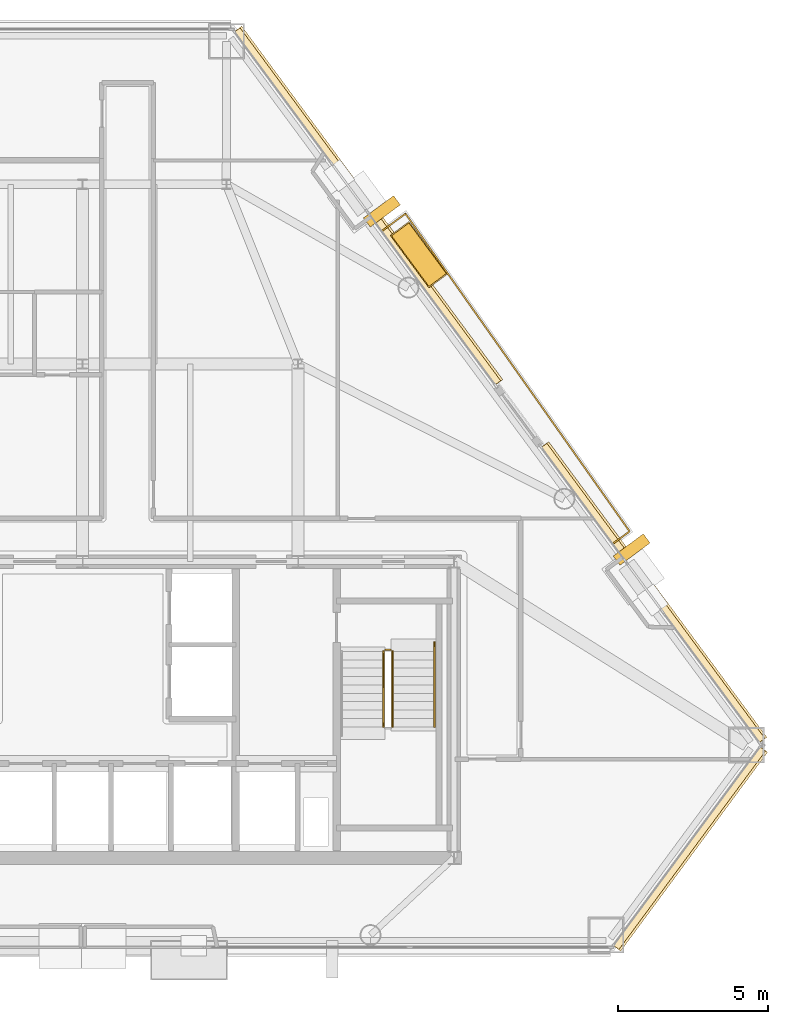
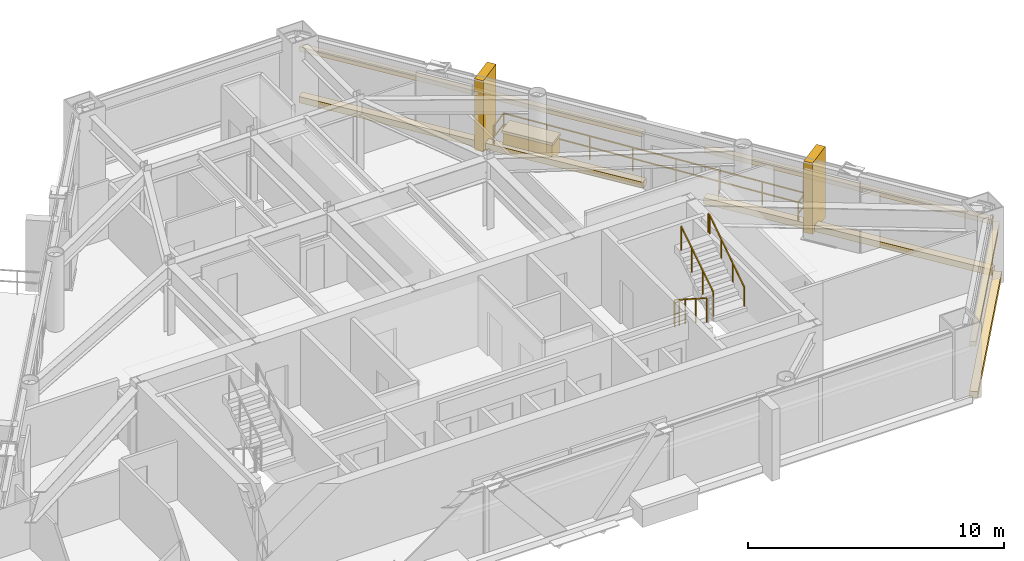
# One storey, part 11 of 11: 10 coverings, 5 railings.
"""IFC4 building model written with IfcOpenShell, lengths in metres."""

from ifc_helpers import new_model, si_unit, direction, frame, origin, origin_2d, place, context, subcontext, project, spatial, rectangle, extrude, material, layer, layer_set, type_object, element, save


model = new_model("IFC4")

# Units and contexts
model_context = context("Model", 3, precision=1e-05, world=origin(), true_north=direction((0.0, 1.0)))
body_context = subcontext(model_context, "Body", "Model", "MODEL_VIEW")
ifc_project = project(units=[si_unit("LENGTHUNIT", "METRE"), si_unit("AREAUNIT", "SQUARE_METRE"), si_unit("VOLUMEUNIT", "CUBIC_METRE"), si_unit("PLANEANGLEUNIT", "RADIAN"), si_unit("MASSUNIT", "GRAM", prefix="KILO")], contexts=[model_context])

# Site, building, storey
site_placement = place(None, origin())
site = spatial("IfcSite", under=ifc_project, at=site_placement, CompositionType="ELEMENT")
building_placement = place(site_placement, origin())
building = spatial("IfcBuilding", under=site, at=building_placement, Name="Talgorran Terracotta Tower", CompositionType="ELEMENT")
storey_placement = place(building_placement, frame((0.0, 0.0, 150.89990234375)))
storey = spatial("IfcBuildingStorey", under=building, at=storey_placement, Name="L39", CompositionType="ELEMENT", Elevation=150.89990234375)

# Coverings
ifc_material_1 = material(Name="Kiln-Fired Terracotta Ochre Ceramic", Category="masonry")
ifc_layer_1 = layer(ifc_material_1, 0.179931640625, Name="COV_BAGUETTE_TERRACOTTA_SCREEN")
ifc_layer_set_1 = layer_set([ifc_layer_1], Name="Kiln-Fired Terracotta Ochre Ceramic")
covering_type_1 = type_object("IfcCoveringType", Name="COV_BAGUETTE_TERRACOTTA_SCREEN", PredefinedType="CLADDING", material=ifc_layer_set_1)
covering_1_placement = place(storey_placement, frame((20.255859375, -13.76220703125, 2.41015625), z_axis=(0.0, 0.0, 1.0), x_axis=(0.594078945078, 0.804406742274, 0.0)))
element("IfcCovering", 1, at=covering_1_placement, inside=storey, type_object=covering_type_1, Name="L39 Terracotta Baguette Solar Screen Assembly F2", PredefinedType="CLADDING", context=body_context, shape_type="SweptSolid", body=[
    extrude(rectangle(XDim=8.242919921875, YDim=0.260009765625, at=origin_2d()), origin(), (0.0, 0.0, 1.0), 0.219970703125),
])
covering_2_placement = place(storey_placement, frame((19.041748046875, -5.256103515625, 2.41015625), z_axis=(0.0, 0.0, 1.0), x_axis=(-0.594078945078, 0.804406742274, 0.0)))
element("IfcCovering", 2, at=covering_2_placement, inside=storey, type_object=covering_type_1, Name="L39 Terracotta Baguette Solar Screen Assembly F40", PredefinedType="CLADDING", context=body_context, shape_type="SweptSolid", body=[
    extrude(rectangle(XDim=12.25048828125, YDim=0.260009765625, at=origin_2d()), origin(), (0.0, 0.0, 1.0), 0.219970703125),
])
covering_3_placement = place(storey_placement, frame((9.506103515625, 7.65576171875, 2.41015625), z_axis=(0.0, 0.0, 1.0), x_axis=(-0.594078945078, 0.804406742274, 0.0)))
element("IfcCovering", 3, at=covering_3_placement, inside=storey, type_object=covering_type_1, Name="L39 Terracotta Baguette Solar Screen Assembly F41", PredefinedType="CLADDING", context=body_context, shape_type="SweptSolid", body=[
    extrude(rectangle(XDim=14.652099609375, YDim=0.260009765625, at=origin_2d()), origin(), (0.0, 0.0, 1.0), 0.219970703125),
])
ifc_material_2 = material(Name="Honed Limestone and Terracotta Planter", Category="masonry")
ifc_layer_2 = layer(ifc_material_2, 0.1201171875, Name="COV_PLANTER_BOX")
ifc_layer_set_2 = layer_set([ifc_layer_2], Name="Honed Limestone and Terracotta Planter")
covering_type_2 = type_object("IfcCoveringType", Name="COV_PLANTER_BOX", PredefinedType="CLADDING", material=ifc_layer_set_2)
covering_4_placement = place(storey_placement, frame((11.232666015625, 6.0498046875, -0.02001953125), z_axis=(0.0, 0.0, 1.0), x_axis=(-0.594078945078, 0.804406742274, 0.0)))
element("IfcCovering", 4, at=covering_4_placement, inside=storey, type_object=covering_type_2, Name="L39 Staggered Balcony Planter Box BAL-NE", PredefinedType="CLADDING", context=body_context, shape_type="SweptSolid", body=[
    extrude(rectangle(XDim=2.10009765625, YDim=0.719970703125, at=origin_2d()), origin(), (0.0, 0.0, 1.0), 0.860107421875),
])
ifc_material_3 = material(Name="Kiln-Fired Terracotta Planter Rim", Category="masonry")
ifc_layer_3 = layer(ifc_material_3, 0.10009765625, Name="COV_PLANTER_RIM")
ifc_layer_set_3 = layer_set([ifc_layer_3], Name="Kiln-Fired Terracotta Planter Rim")
covering_type_3 = type_object("IfcCoveringType", Name="COV_PLANTER_RIM", PredefinedType="CLADDING", material=ifc_layer_set_3)
covering_5_placement = place(storey_placement, frame((11.232666015625, 6.0498046875, 0.800048828125), z_axis=(0.0, 0.0, 1.0), x_axis=(-0.594078945078, 0.804406742274, 0.0)))
element("IfcCovering", 5, at=covering_5_placement, inside=storey, type_object=covering_type_3, Name="L39 Balcony Planter Terracotta Rim BAL-NE", PredefinedType="CLADDING", context=body_context, shape_type="SweptSolid", body=[
    extrude(rectangle(XDim=2.179931640625, YDim=0.780029296875, at=origin_2d()), origin(), (0.0, 0.0, 1.0), 0.1201171875),
])
ifc_material_4 = material(Name="Honed Limestone Cladding", Category="masonry")
ifc_layer_4 = layer(ifc_material_4, 0.094970703125, Name="COV_PORTAL_LIME")
ifc_layer_set_4 = layer_set([ifc_layer_4], Name="Honed Limestone Cladding")
covering_type_4 = type_object("IfcCoveringType", Name="COV_PORTAL_LIME", PredefinedType="CLADDING", material=ifc_layer_set_4)
covering_6_placement = place(storey_placement, frame((18.337158203125, -3.797119140625, -0.0498046875), z_axis=(0.0, 0.0, 1.0), x_axis=(-0.594078945078, 0.804406742274, 0.0)))
element("IfcCovering", 6, at=covering_6_placement, inside=storey, type_object=covering_type_4, Name="L39 White Striped Portal Fin F3-1", PredefinedType="CLADDING", context=body_context, shape_type="SweptSolid", body=[
    extrude(rectangle(XDim=0.3798828125, YDim=1.25, at=origin_2d()), origin(), (0.0, 0.0, 1.0), 3.39990234375),
])
ifc_material_5 = material(Name="Kiln-Fired Terracotta Cladding", Category="masonry")
ifc_layer_5 = layer(ifc_material_5, 0.090087890625, Name="COV_PORTAL_TERRA")
ifc_layer_set_5 = layer_set([ifc_layer_5], Name="Kiln-Fired Terracotta Cladding")
covering_type_5 = type_object("IfcCoveringType", Name="COV_PORTAL_TERRA", PredefinedType="CLADDING", material=ifc_layer_set_5)
covering_7_placement = place(storey_placement, frame((20.2880859375, -13.785888671875, -0.0400390625), z_axis=(0.0, 0.0, 1.0), x_axis=(0.594078945078, 0.804406742274, 0.0)))
element("IfcCovering", 7, at=covering_7_placement, inside=storey, type_object=covering_type_5, Name="L39 Striped Postmodern Portal Cladding Band F2", PredefinedType="CLADDING", context=body_context, shape_type="SweptSolid", body=[
    extrude(rectangle(XDim=8.2626953125, YDim=0.340087890625, at=origin_2d()), origin(), (0.0, 0.0, 1.0), 0.300048828125),
])
covering_8_placement = place(storey_placement, frame((19.073974609375, -5.232421875, -0.0400390625), z_axis=(0.0, 0.0, 1.0), x_axis=(-0.594078945078, 0.804406742274, 0.0)))
element("IfcCovering", 8, at=covering_8_placement, inside=storey, type_object=covering_type_5, Name="L39 Striped Postmodern Portal Cladding Band F40", PredefinedType="CLADDING", context=body_context, shape_type="SweptSolid", body=[
    extrude(rectangle(XDim=12.2705078125, YDim=0.340087890625, at=origin_2d()), origin(), (0.0, 0.0, 1.0), 0.300048828125),
])
covering_9_placement = place(storey_placement, frame((9.5380859375, 7.679443359375, -0.0400390625), z_axis=(0.0, 0.0, 1.0), x_axis=(-0.594078945078, 0.804406742274, 0.0)))
element("IfcCovering", 9, at=covering_9_placement, inside=storey, type_object=covering_type_5, Name="L39 Striped Postmodern Portal Cladding Band F41", PredefinedType="CLADDING", context=body_context, shape_type="SweptSolid", body=[
    extrude(rectangle(XDim=14.672119140625, YDim=0.340087890625, at=origin_2d()), origin(), (0.0, 0.0, 1.0), 0.300048828125),
])
covering_10_placement = place(storey_placement, frame((9.99658203125, 7.49658203125, -0.0498046875), z_axis=(0.0, 0.0, 1.0), x_axis=(-0.594078945078, 0.804406742274, 0.0)))
element("IfcCovering", 10, at=covering_10_placement, inside=storey, type_object=covering_type_5, Name="L39 Terracotta Striped Portal Fin F3-2", PredefinedType="CLADDING", context=body_context, shape_type="SweptSolid", body=[
    extrude(rectangle(XDim=0.3798828125, YDim=1.25, at=origin_2d()), origin(), (0.0, 0.0, 1.0), 3.39990234375),
])

# Railings
ifc_material_6 = material(Name="Laminated Glass and Stainless Steel 316", Category="steel")
railing_type_1 = type_object("IfcRailingType", Name="RL_BALCONY_1150", PredefinedType="BALUSTRADE", material=ifc_material_6)
railing_1_placement = place(storey_placement, frame((17.7177734375, -3.59814453125, 0.0)))
element("IfcRailing", 11, at=railing_1_placement, inside=storey, type_object=railing_type_1, Name="RL-L39-BAL-BAL-NE", PredefinedType="BALUSTRADE", context=body_context, shape_type="SweptSolid", body=[
    extrude(rectangle(XDim=0.048095703125, YDim=0.048095703125, at=origin_2d()), frame((0.0, 0.0, 1.1259765625), z_axis=(0.804553802816, 0.593879767608, 0.0), x_axis=(-0.593879767608, 0.804553802816, 0.0)), (0.0, 0.0, 1.0), 0.684814453125),
    extrude(rectangle(XDim=0.048095703125, YDim=0.048095703125, at=origin_2d()), frame((0.0, 0.0, 0.597900390625), z_axis=(0.804553802816, 0.593879767608, 0.0), x_axis=(-0.593879767608, 0.804553802816, 0.0)), (0.0, 0.0, 1.0), 0.684814453125),
    extrude(rectangle(XDim=0.048095703125, YDim=0.048095703125, at=origin_2d()), frame((0.551025390625, 0.40673828125, 1.1259765625), z_axis=(-0.576415986029, 0.817156417738, 0.0), x_axis=(-0.817156417738, -0.576415986029, 0.0)), (0.0, 0.0, 1.0), 12.98681640625),
    extrude(rectangle(XDim=0.048095703125, YDim=0.048095703125, at=origin_2d()), frame((0.551025390625, 0.40673828125, 0.597900390625), z_axis=(-0.576415986029, 0.817156417738, 0.0), x_axis=(-0.817156417738, -0.576415986029, 0.0)), (0.0, 0.0, 1.0), 12.98681640625),
    extrude(rectangle(XDim=0.048095703125, YDim=0.048095703125, at=origin_2d()), frame((-6.934814453125, 11.01904296875, 1.1259765625), z_axis=(-0.804338658016, -0.594171122844, 0.0), x_axis=(0.594171122844, -0.804338658016, 0.0)), (0.0, 0.0, 1.0), 0.9677734375),
    extrude(rectangle(XDim=0.048095703125, YDim=0.048095703125, at=origin_2d()), frame((-6.934814453125, 11.01904296875, 0.597900390625), z_axis=(-0.804338658016, -0.594171122844, 0.0), x_axis=(0.594171122844, -0.804338658016, 0.0)), (0.0, 0.0, 1.0), 0.9677734375),
    extrude(rectangle(XDim=0.0419921875, YDim=0.0419921875, at=origin_2d()), origin(), (0.0, 0.0, 1.0), 1.101806640625),
    extrude(rectangle(XDim=0.0419921875, YDim=0.0419921875, at=origin_2d()), frame((0.551025390625, 0.40673828125, 0.0)), (0.0, 0.0, 1.0), 1.101806640625),
    extrude(rectangle(XDim=0.0419921875, YDim=0.0419921875, at=origin_2d()), frame((-0.518310546875, 1.9228515625, 0.0)), (0.0, 0.0, 1.0), 1.101806640625),
    extrude(rectangle(XDim=0.0419921875, YDim=0.0419921875, at=origin_2d()), frame((-1.587890625, 3.438720703125, 0.0)), (0.0, 0.0, 1.0), 1.101806640625),
    extrude(rectangle(XDim=0.0419921875, YDim=0.0419921875, at=origin_2d()), frame((-2.6572265625, 4.954833984375, 0.0)), (0.0, 0.0, 1.0), 1.101806640625),
    extrude(rectangle(XDim=0.0419921875, YDim=0.0419921875, at=origin_2d()), frame((-3.7265625, 6.470947265625, 0.0)), (0.0, 0.0, 1.0), 1.101806640625),
    extrude(rectangle(XDim=0.0419921875, YDim=0.0419921875, at=origin_2d()), frame((-4.7958984375, 7.987060546875, 0.0)), (0.0, 0.0, 1.0), 1.101806640625),
    extrude(rectangle(XDim=0.0419921875, YDim=0.0419921875, at=origin_2d()), frame((-5.865478515625, 9.5029296875, 0.0)), (0.0, 0.0, 1.0), 1.101806640625),
    extrude(rectangle(XDim=0.0419921875, YDim=0.0419921875, at=origin_2d()), frame((-6.934814453125, 11.01904296875, 0.0)), (0.0, 0.0, 1.0), 1.101806640625),
    extrude(rectangle(XDim=0.0419921875, YDim=0.0419921875, at=origin_2d()), frame((-7.713134765625, 10.444091796875, 0.0)), (0.0, 0.0, 1.0), 1.101806640625),
])
ifc_material_7 = material(Name="Steel S355 (300PLUS)", Category="steel")
railing_type_2 = type_object("IfcRailingType", Name="RL_HANDRAIL_920", PredefinedType="HANDRAIL", material=ifc_material_7)
railing_2_placement = place(storey_placement, frame((11.75, -9.719970703125, 1.97998046875)))
element("IfcRailing", 12, at=railing_2_placement, inside=storey, type_object=railing_type_2, Name="L39 ST-02 stair handrail 2", PredefinedType="HANDRAIL", context=body_context, shape_type="SweptSolid", body=[
    extrude(rectangle(XDim=0.048095703125, YDim=0.048095703125, at=origin_2d()), frame((0.0, 0.0, 0.89599609375), z_axis=(0.0, 0.832038719335, 0.554717558338), x_axis=(-1.0, 0.0, 0.0)), (0.0, 0.0, 1.0), 3.244873046875),
    extrude(rectangle(XDim=0.048095703125, YDim=0.048095703125, at=origin_2d()), frame((0.0, 2.699951171875, 2.69580078125), z_axis=(0.0, 1.0, 0.0), x_axis=(-1.0, 0.0, 0.0)), (0.0, 0.0, 1.0), 0.1201171875),
    extrude(rectangle(XDim=0.0419921875, YDim=0.0419921875, at=origin_2d()), origin(), (0.0, 0.0, 1.0), 0.871826171875),
    extrude(rectangle(XDim=0.0419921875, YDim=0.0419921875, at=origin_2d()), frame((0.0, 0.89990234375, 0.60009765625)), (0.0, 0.0, 1.0), 0.871826171875),
    extrude(rectangle(XDim=0.0419921875, YDim=0.0419921875, at=origin_2d()), frame((0.0, 1.800048828125, 1.199951171875)), (0.0, 0.0, 1.0), 0.871826171875),
    extrude(rectangle(XDim=0.0419921875, YDim=0.0419921875, at=origin_2d()), frame((0.0, 2.699951171875, 1.800048828125)), (0.0, 0.0, 1.0), 0.871826171875),
    extrude(rectangle(XDim=0.0419921875, YDim=0.0419921875, at=origin_2d()), frame((0.0, 2.820068359375, 1.800048828125)), (0.0, 0.0, 1.0), 0.871826171875),
])
railing_type_3 = type_object("IfcRailingType", Name="RL_STAIR_GUARD", PredefinedType="GUARDRAIL", material=ifc_material_7)
railing_3_placement = place(storey_placement, frame((10.050048828125, -7.199951171875, 0.18017578125)))
element("IfcRailing", 13, at=railing_3_placement, inside=storey, type_object=railing_type_3, Name="L39 ST-02 stair guard 1", PredefinedType="GUARDRAIL", context=body_context, shape_type="SweptSolid", body=[
    extrude(rectangle(XDim=0.048095703125, YDim=0.048095703125, at=origin_2d()), frame((0.0, 0.0, 1.15576171875), z_axis=(0.0, -0.841199657755, 0.540724639528), x_axis=(1.0, 0.0, 0.0)), (0.0, 0.0, 1.0), 2.995849609375),
    extrude(rectangle(XDim=0.0419921875, YDim=0.0419921875, at=origin_2d()), origin(), (0.0, 0.0, 1.0), 1.1318359375),
    extrude(rectangle(XDim=0.0419921875, YDim=0.0419921875, at=origin_2d()), frame((0.0, -0.840087890625, 0.5400390625)), (0.0, 0.0, 1.0), 1.1318359375),
    extrude(rectangle(XDim=0.0419921875, YDim=0.0419921875, at=origin_2d()), frame((0.0, -1.679931640625, 1.079833984375)), (0.0, 0.0, 1.0), 1.1318359375),
    extrude(rectangle(XDim=0.0419921875, YDim=0.0419921875, at=origin_2d()), frame((0.0, -2.52001953125, 1.619873046875)), (0.0, 0.0, 1.0), 1.1318359375),
])
railing_4_placement = place(storey_placement, frame((10.35009765625, -9.719970703125, 1.97998046875)))
element("IfcRailing", 14, at=railing_4_placement, inside=storey, type_object=railing_type_3, Name="L39 ST-02 stair guard 3", PredefinedType="GUARDRAIL", context=body_context, shape_type="SweptSolid", body=[
    extrude(rectangle(XDim=0.048095703125, YDim=0.048095703125, at=origin_2d()), frame((0.0, 0.0, 1.15576171875), z_axis=(0.0, 0.841162588446, 0.540782303519), x_axis=(-1.0, 0.0, 0.0)), (0.0, 0.0, 1.0), 2.995849609375),
    extrude(rectangle(XDim=0.0419921875, YDim=0.0419921875, at=origin_2d()), origin(), (0.0, 0.0, 1.0), 1.1318359375),
    extrude(rectangle(XDim=0.0419921875, YDim=0.0419921875, at=origin_2d()), frame((0.0, 0.840087890625, 0.5400390625)), (0.0, 0.0, 1.0), 1.1318359375),
    extrude(rectangle(XDim=0.0419921875, YDim=0.0419921875, at=origin_2d()), frame((0.0, 1.679931640625, 1.080078125)), (0.0, 0.0, 1.0), 1.1318359375),
    extrude(rectangle(XDim=0.0419921875, YDim=0.0419921875, at=origin_2d()), frame((0.0, 2.52001953125, 1.6201171875)), (0.0, 0.0, 1.0), 1.1318359375),
])
railing_5_placement = place(storey_placement, frame((10.10009765625, -7.14990234375, 0.0)))
element("IfcRailing", 15, at=railing_5_placement, inside=storey, type_object=railing_type_3, Name="L39 ST-02 stair guard 4", PredefinedType="GUARDRAIL", context=body_context, shape_type="SweptSolid", body=[
    extrude(rectangle(XDim=0.048095703125, YDim=0.048095703125, at=origin_2d()), frame((0.0, 0.0, 1.15576171875), z_axis=(1.0, 0.0, 0.0), x_axis=(0.0, 1.0, 0.0)), (0.0, 0.0, 1.0), 0.199951171875),
    extrude(rectangle(XDim=0.048095703125, YDim=0.048095703125, at=origin_2d()), frame((0.0, 0.0, 0.613525390625), z_axis=(1.0, 0.0, 0.0), x_axis=(0.0, 1.0, 0.0)), (0.0, 0.0, 1.0), 0.199951171875),
    extrude(rectangle(XDim=0.0419921875, YDim=0.0419921875, at=origin_2d()), origin(), (0.0, 0.0, 1.0), 1.1318359375),
    extrude(rectangle(XDim=0.0419921875, YDim=0.0419921875, at=origin_2d()), frame((0.199951171875, 0.0, 0.0)), (0.0, 0.0, 1.0), 1.1318359375),
])

save(model, "model.ifc")
